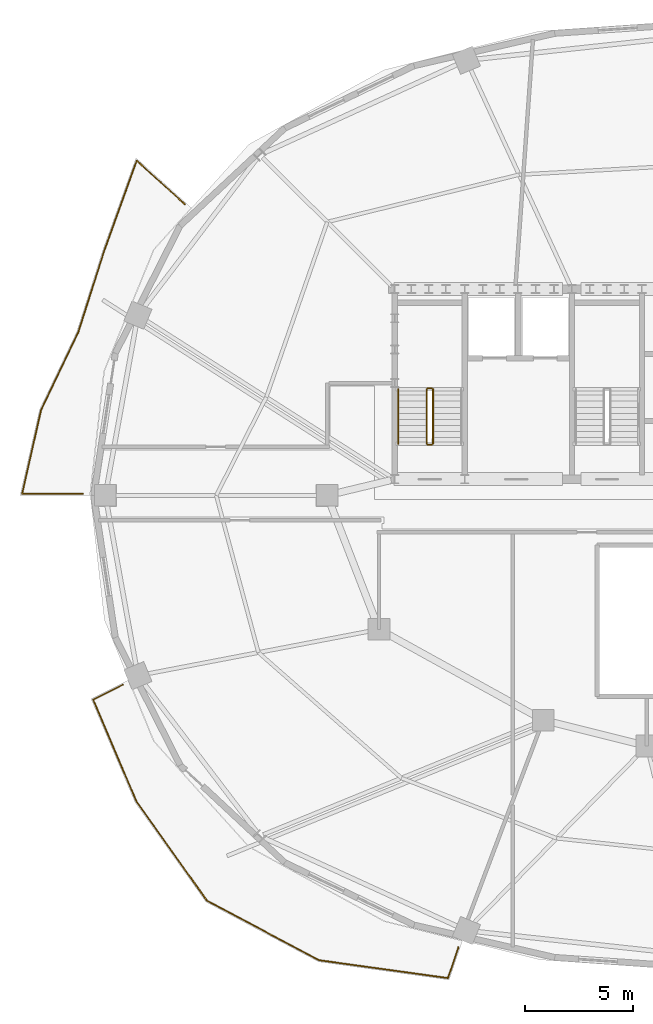
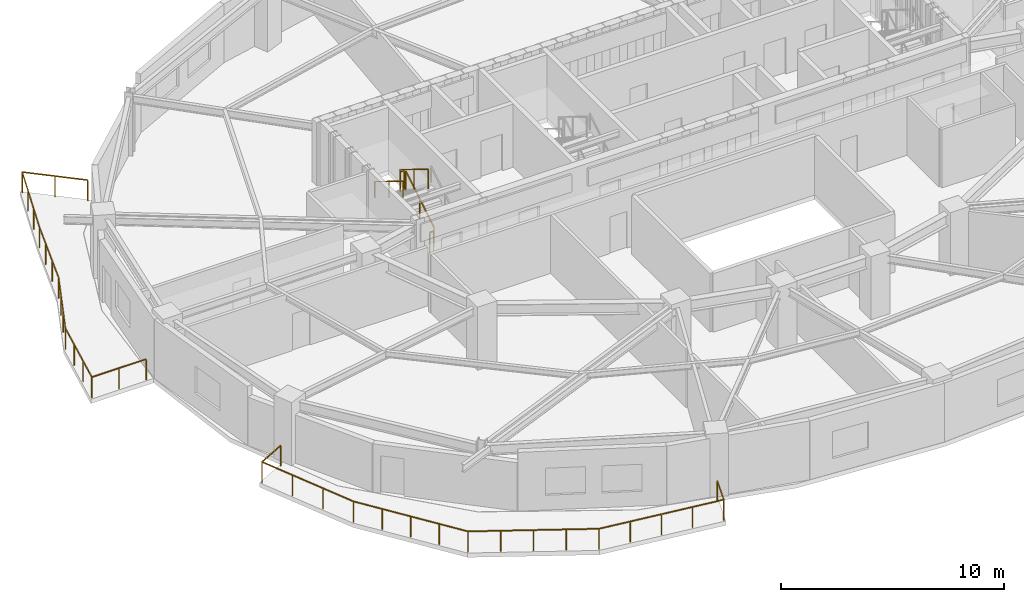
# One storey, part 7 of 11: 7 railings.
"""IFC4 building model written with IfcOpenShell, lengths in metres."""

from ifc_helpers import new_model, si_unit, direction, frame, origin, origin_2d, place, context, subcontext, project, spatial, rectangle, extrude, material, type_object, element, save


model = new_model("IFC4")

# Units and contexts
model_context = context("Model", 3, precision=1e-05, world=origin(), true_north=direction((0.0, 1.0)))
body_context = subcontext(model_context, "Body", "Model", "MODEL_VIEW")
ifc_project = project(units=[si_unit("LENGTHUNIT", "METRE"), si_unit("AREAUNIT", "SQUARE_METRE"), si_unit("VOLUMEUNIT", "CUBIC_METRE"), si_unit("PLANEANGLEUNIT", "RADIAN"), si_unit("MASSUNIT", "GRAM", prefix="KILO")], contexts=[model_context])

# Site, building, storey
site_placement = place(None, origin())
site = spatial("IfcSite", under=ifc_project, at=site_placement, CompositionType="ELEMENT")
building_placement = place(site_placement, origin())
building = spatial("IfcBuilding", under=site, at=building_placement, Name="Haldorwick Loom Tower", CompositionType="ELEMENT")
storey_placement = place(building_placement, frame((0.0, 0.0, 227.10009765625)))
storey = spatial("IfcBuildingStorey", under=building, at=storey_placement, Name="L61", CompositionType="ELEMENT", Elevation=227.10009765625)

# Railings
ifc_material_1 = material(Name="Galvanized Steel CSA G40.21 350W", Category="steel")
railing_type_1 = type_object("IfcRailingType", Name="ARC-RLG-BAL115", PredefinedType="BALUSTRADE", material=ifc_material_1)
railing_1_placement = place(storey_placement, frame((24.877685546875, 5.081298828125, 0.0)))
element("IfcRailing", 1, at=railing_1_placement, inside=storey, type_object=railing_type_1, Name="L61 Outdoor Terrace Guardrail SLB-L61-BAL_SW-1", PredefinedType="BALUSTRADE", context=body_context, shape_type="SweptSolid", body=[
    extrude(rectangle(XDim=0.048095703125, YDim=0.048095703125, at=origin_2d()), frame((0.0, 0.0, 1.1259765625), z_axis=(-0.322554876503, -0.946550765487, 0.0), x_axis=(0.946550765487, -0.322554876503, 0.0)), (0.0, 0.0, 1.0), 1.503173828125),
    extrude(rectangle(XDim=0.048095703125, YDim=0.048095703125, at=origin_2d()), frame((-0.48486328125, -1.4228515625, 1.1259765625), z_axis=(-0.990515716608, 0.137399472896, 0.0), x_axis=(-0.137399472896, -0.990515716608, 0.0)), (0.0, 0.0, 1.0), 6.027099609375),
    extrude(rectangle(XDim=0.048095703125, YDim=0.048095703125, at=origin_2d()), frame((-6.454833984375, -0.5947265625, 1.1259765625), z_axis=(-0.883034911235, 0.46930730395, 0.0), x_axis=(-0.46930730395, -0.883034911235, 0.0)), (0.0, 0.0, 1.0), 5.86865234375),
    extrude(rectangle(XDim=0.048095703125, YDim=0.048095703125, at=origin_2d()), frame((-11.636962890625, 2.159423828125, 1.1259765625), z_axis=(-0.580031308126, 0.814594182151, 0.0), x_axis=(-0.814594182151, -0.580031308126, 0.0)), (0.0, 0.0, 1.0), 5.62890625),
    extrude(rectangle(XDim=0.048095703125, YDim=0.048095703125, at=origin_2d()), frame((-14.90185546875, 6.74462890625, 1.1259765625), z_axis=(-0.391348382521, 0.92024260035, 0.0), x_axis=(-0.92024260035, -0.391348382521, 0.0)), (0.0, 0.0, 1.0), 5.126220703125),
    extrude(rectangle(XDim=0.048095703125, YDim=0.048095703125, at=origin_2d()), frame((-16.907958984375, 11.4619140625, 1.1259765625), z_axis=(0.892027220711, 0.451981678291, 0.0), x_axis=(-0.451981678291, 0.892027220711, 0.0)), (0.0, 0.0, 1.0), 1.533935546875),
    extrude(rectangle(XDim=0.0419921875, YDim=0.0419921875, at=origin_2d()), origin(), (0.0, 0.0, 1.0), 1.101806640625),
    extrude(rectangle(XDim=0.0419921875, YDim=0.0419921875, at=origin_2d()), frame((-0.48486328125, -1.4228515625, 0.0)), (0.0, 0.0, 1.0), 1.101806640625),
    extrude(rectangle(XDim=0.0419921875, YDim=0.0419921875, at=origin_2d()), frame((-1.977294921875, -1.2158203125, 0.0)), (0.0, 0.0, 1.0), 1.101806640625),
    extrude(rectangle(XDim=0.0419921875, YDim=0.0419921875, at=origin_2d()), frame((-3.4697265625, -1.0087890625, 0.0)), (0.0, 0.0, 1.0), 1.101806640625),
    extrude(rectangle(XDim=0.0419921875, YDim=0.0419921875, at=origin_2d()), frame((-4.96240234375, -0.8017578125, 0.0)), (0.0, 0.0, 1.0), 1.101806640625),
    extrude(rectangle(XDim=0.0419921875, YDim=0.0419921875, at=origin_2d()), frame((-6.454833984375, -0.5947265625, 0.0)), (0.0, 0.0, 1.0), 1.101806640625),
    extrude(rectangle(XDim=0.0419921875, YDim=0.0419921875, at=origin_2d()), frame((-7.75048828125, 0.09375, 0.0)), (0.0, 0.0, 1.0), 1.101806640625),
    extrude(rectangle(XDim=0.0419921875, YDim=0.0419921875, at=origin_2d()), frame((-9.0458984375, 0.7822265625, 0.0)), (0.0, 0.0, 1.0), 1.101806640625),
    extrude(rectangle(XDim=0.0419921875, YDim=0.0419921875, at=origin_2d()), frame((-10.34130859375, 1.470947265625, 0.0)), (0.0, 0.0, 1.0), 1.101806640625),
    extrude(rectangle(XDim=0.0419921875, YDim=0.0419921875, at=origin_2d()), frame((-11.636962890625, 2.159423828125, 0.0)), (0.0, 0.0, 1.0), 1.101806640625),
    extrude(rectangle(XDim=0.0419921875, YDim=0.0419921875, at=origin_2d()), frame((-12.453125, 3.3056640625, 0.0)), (0.0, 0.0, 1.0), 1.101806640625),
    extrude(rectangle(XDim=0.0419921875, YDim=0.0419921875, at=origin_2d()), frame((-13.26953125, 4.4521484375, 0.0)), (0.0, 0.0, 1.0), 1.101806640625),
    extrude(rectangle(XDim=0.0419921875, YDim=0.0419921875, at=origin_2d()), frame((-14.085693359375, 5.598388671875, 0.0)), (0.0, 0.0, 1.0), 1.101806640625),
    extrude(rectangle(XDim=0.0419921875, YDim=0.0419921875, at=origin_2d()), frame((-14.90185546875, 6.74462890625, 0.0)), (0.0, 0.0, 1.0), 1.101806640625),
    extrude(rectangle(XDim=0.0419921875, YDim=0.0419921875, at=origin_2d()), frame((-15.570556640625, 8.317138671875, 0.0)), (0.0, 0.0, 1.0), 1.101806640625),
    extrude(rectangle(XDim=0.0419921875, YDim=0.0419921875, at=origin_2d()), frame((-16.2392578125, 9.889404296875, 0.0)), (0.0, 0.0, 1.0), 1.101806640625),
    extrude(rectangle(XDim=0.0419921875, YDim=0.0419921875, at=origin_2d()), frame((-16.907958984375, 11.4619140625, 0.0)), (0.0, 0.0, 1.0), 1.101806640625),
    extrude(rectangle(XDim=0.0419921875, YDim=0.0419921875, at=origin_2d()), frame((-15.53955078125, 12.1552734375, 0.0)), (0.0, 0.0, 1.0), 1.101806640625),
])
railing_2_placement = place(storey_placement, frame((7.490478515625, 26.080078125, 0.0)))
element("IfcRailing", 2, at=railing_2_placement, inside=storey, type_object=railing_type_1, Name="L61 Outdoor Terrace Guardrail SLB-L61-BAL_WNW-1", PredefinedType="BALUSTRADE", context=body_context, shape_type="SweptSolid", body=[
    extrude(rectangle(XDim=0.048095703125, YDim=0.048095703125, at=origin_2d()), frame((0.0, 0.0, 1.1259765625), z_axis=(-1.0, 0.0, 0.0), x_axis=(0.0, -1.0, 0.0)), (0.0, 0.0, 1.0), 2.806884765625),
    extrude(rectangle(XDim=0.048095703125, YDim=0.048095703125, at=origin_2d()), frame((-2.806884765625, 0.0, 1.1259765625), z_axis=(0.220528818601, 0.975380459188, 0.0), x_axis=(-0.975380459188, 0.220528818601, 0.0)), (0.0, 0.0, 1.0), 3.970947265625),
    extrude(rectangle(XDim=0.048095703125, YDim=0.048095703125, at=origin_2d()), frame((-1.93115234375, 3.873291015625, 1.1259765625), z_axis=(0.431873232656, 0.901934316298, 0.0), x_axis=(-0.901934316298, 0.431873232656, 0.0)), (0.0, 0.0, 1.0), 3.97021484375),
    extrude(rectangle(XDim=0.048095703125, YDim=0.048095703125, at=origin_2d()), frame((-0.216552734375, 7.4541015625, 1.1259765625), z_axis=(0.363542485653, 0.931577619485, 0.0), x_axis=(-0.931577619485, 0.363542485653, 0.0)), (0.0, 0.0, 1.0), 0.0107421875),
    extrude(rectangle(XDim=0.048095703125, YDim=0.048095703125, at=origin_2d()), frame((-0.212646484375, 7.464111328125, 1.1259765625), z_axis=(0.304009811711, 0.952668900712, 0.0), x_axis=(-0.952668900712, 0.304009811711, 0.0)), (0.0, 0.0, 1.0), 4.037109375),
    extrude(rectangle(XDim=0.048095703125, YDim=0.048095703125, at=origin_2d()), frame((1.0146484375, 11.31005859375, 1.1259765625), z_axis=(0.339440877495, 0.940627392056, 0.0), x_axis=(-0.940627392056, 0.339440877495, 0.0)), (0.0, 0.0, 1.0), 4.361572265625),
    extrude(rectangle(XDim=0.048095703125, YDim=0.048095703125, at=origin_2d()), frame((2.4951171875, 15.41259765625, 1.1259765625), z_axis=(0.74173043734, -0.670698112658, 0.0), x_axis=(0.670698112658, 0.74173043734, 0.0)), (0.0, 0.0, 1.0), 3.00048828125),
    extrude(rectangle(XDim=0.0419921875, YDim=0.0419921875, at=origin_2d()), origin(), (0.0, 0.0, 1.0), 1.101806640625),
    extrude(rectangle(XDim=0.0419921875, YDim=0.0419921875, at=origin_2d()), frame((-1.4033203125, 0.0, 0.0)), (0.0, 0.0, 1.0), 1.101806640625),
    extrude(rectangle(XDim=0.0419921875, YDim=0.0419921875, at=origin_2d()), frame((-2.806884765625, 0.0, 0.0)), (0.0, 0.0, 1.0), 1.101806640625),
    extrude(rectangle(XDim=0.0419921875, YDim=0.0419921875, at=origin_2d()), frame((-2.514892578125, 1.291015625, 0.0)), (0.0, 0.0, 1.0), 1.101806640625),
    extrude(rectangle(XDim=0.0419921875, YDim=0.0419921875, at=origin_2d()), frame((-2.22314453125, 2.582275390625, 0.0)), (0.0, 0.0, 1.0), 1.101806640625),
    extrude(rectangle(XDim=0.0419921875, YDim=0.0419921875, at=origin_2d()), frame((-1.93115234375, 3.873291015625, 0.0)), (0.0, 0.0, 1.0), 1.101806640625),
    extrude(rectangle(XDim=0.0419921875, YDim=0.0419921875, at=origin_2d()), frame((-1.359619140625, 5.06689453125, 0.0)), (0.0, 0.0, 1.0), 1.101806640625),
    extrude(rectangle(XDim=0.0419921875, YDim=0.0419921875, at=origin_2d()), frame((-0.7880859375, 6.260498046875, 0.0)), (0.0, 0.0, 1.0), 1.101806640625),
    extrude(rectangle(XDim=0.0419921875, YDim=0.0419921875, at=origin_2d()), frame((-0.216552734375, 7.4541015625, 0.0)), (0.0, 0.0, 1.0), 1.101806640625),
    extrude(rectangle(XDim=0.0419921875, YDim=0.0419921875, at=origin_2d()), frame((0.196533203125, 8.74609375, 0.0)), (0.0, 0.0, 1.0), 1.101806640625),
    extrude(rectangle(XDim=0.0419921875, YDim=0.0419921875, at=origin_2d()), frame((0.60546875, 10.028076171875, 0.0)), (0.0, 0.0, 1.0), 1.101806640625),
    extrude(rectangle(XDim=0.0419921875, YDim=0.0419921875, at=origin_2d()), frame((1.0146484375, 11.31005859375, 0.0)), (0.0, 0.0, 1.0), 1.101806640625),
    extrude(rectangle(XDim=0.0419921875, YDim=0.0419921875, at=origin_2d()), frame((1.508056640625, 12.677490234375, 0.0)), (0.0, 0.0, 1.0), 1.101806640625),
    extrude(rectangle(XDim=0.0419921875, YDim=0.0419921875, at=origin_2d()), frame((2.001708984375, 14.045166015625, 0.0)), (0.0, 0.0, 1.0), 1.101806640625),
    extrude(rectangle(XDim=0.0419921875, YDim=0.0419921875, at=origin_2d()), frame((2.4951171875, 15.41259765625, 0.0)), (0.0, 0.0, 1.0), 1.101806640625),
    extrude(rectangle(XDim=0.0419921875, YDim=0.0419921875, at=origin_2d()), frame((3.60791015625, 14.40625, 0.0)), (0.0, 0.0, 1.0), 1.101806640625),
    extrude(rectangle(XDim=0.0419921875, YDim=0.0419921875, at=origin_2d()), frame((4.720703125, 13.400146484375, 0.0)), (0.0, 0.0, 1.0), 1.101806640625),
])
ifc_material_2 = material(Name="Steel CSA G40.21 350W", Category="steel")
railing_type_2 = type_object("IfcRailingType", Name="ARC-RLG-GUARD112", PredefinedType="GUARDRAIL", material=ifc_material_2)
railing_3_placement = place(storey_placement, frame((23.699951171875, 28.39990234375, 0.17236328125)))
element("IfcRailing", 3, at=railing_3_placement, inside=storey, type_object=railing_type_2, Name="L61 ST-01 stair guard 1", PredefinedType="GUARDRAIL", context=body_context, shape_type="SweptSolid", body=[
    extrude(rectangle(XDim=0.048095703125, YDim=0.048095703125, at=origin_2d()), frame((0.0, 0.0, 1.076171875), z_axis=(0.0, 0.851400495292, 0.524516154772), x_axis=(-1.0, 0.0, 0.0)), (0.0, 0.0, 1.0), 2.9599609375),
    extrude(rectangle(XDim=0.0419921875, YDim=0.0419921875, at=origin_2d()), origin(), (0.0, 0.0, 1.0), 1.052001953125),
    extrude(rectangle(XDim=0.0419921875, YDim=0.0419921875, at=origin_2d()), frame((0.0, 1.260009765625, 0.7763671875)), (0.0, 0.0, 1.0), 1.052001953125),
    extrude(rectangle(XDim=0.0419921875, YDim=0.0419921875, at=origin_2d()), frame((0.0, 2.52001953125, 1.552490234375)), (0.0, 0.0, 1.0), 1.052001953125),
])
railing_4_placement = place(storey_placement, frame((23.64990234375, 30.969970703125, 1.724853515625)))
element("IfcRailing", 4, at=railing_4_placement, inside=storey, type_object=railing_type_2, Name="L61 ST-01 stair guard 2", PredefinedType="GUARDRAIL", context=body_context, shape_type="SweptSolid", body=[
    extrude(rectangle(XDim=0.048095703125, YDim=0.048095703125, at=origin_2d()), frame((0.0, 0.0, 1.076171875), z_axis=(-1.0, 0.0, 0.0), x_axis=(0.0, -1.0, 0.0)), (0.0, 0.0, 1.0), 0.199951171875),
    extrude(rectangle(XDim=0.0419921875, YDim=0.0419921875, at=origin_2d()), origin(), (0.0, 0.0, 1.0), 1.052001953125),
    extrude(rectangle(XDim=0.0419921875, YDim=0.0419921875, at=origin_2d()), frame((-0.199951171875, 0.0, 0.0)), (0.0, 0.0, 1.0), 1.052001953125),
])
railing_5_placement = place(storey_placement, frame((23.39990234375, 30.919921875, 1.8974609375)))
element("IfcRailing", 5, at=railing_5_placement, inside=storey, type_object=railing_type_2, Name="L61 ST-01 stair guard 3", PredefinedType="GUARDRAIL", context=body_context, shape_type="SweptSolid", body=[
    extrude(rectangle(XDim=0.048095703125, YDim=0.048095703125, at=origin_2d()), frame((0.0, 0.0, 1.076171875), z_axis=(0.0, -0.851400495292, 0.524516154772), x_axis=(1.0, 0.0, 0.0)), (0.0, 0.0, 1.0), 2.9599609375),
    extrude(rectangle(XDim=0.0419921875, YDim=0.0419921875, at=origin_2d()), origin(), (0.0, 0.0, 1.0), 1.052001953125),
    extrude(rectangle(XDim=0.0419921875, YDim=0.0419921875, at=origin_2d()), frame((0.0, -1.260009765625, 0.7763671875)), (0.0, 0.0, 1.0), 1.052001953125),
    extrude(rectangle(XDim=0.0419921875, YDim=0.0419921875, at=origin_2d()), frame((0.0, -2.52001953125, 1.552490234375)), (0.0, 0.0, 1.0), 1.052001953125),
])
railing_6_placement = place(storey_placement, frame((23.64990234375, 28.35009765625, 0.0)))
element("IfcRailing", 6, at=railing_6_placement, inside=storey, type_object=railing_type_2, Name="L61 ST-01 stair guard 4", PredefinedType="GUARDRAIL", context=body_context, shape_type="SweptSolid", body=[
    extrude(rectangle(XDim=0.048095703125, YDim=0.048095703125, at=origin_2d()), frame((0.0, 0.0, 1.076171875), z_axis=(-1.0, 0.0, 0.0), x_axis=(0.0, -1.0, 0.0)), (0.0, 0.0, 1.0), 0.199951171875),
    extrude(rectangle(XDim=0.0419921875, YDim=0.0419921875, at=origin_2d()), origin(), (0.0, 0.0, 1.0), 1.052001953125),
    extrude(rectangle(XDim=0.0419921875, YDim=0.0419921875, at=origin_2d()), frame((-0.199951171875, 0.0, 0.0)), (0.0, 0.0, 1.0), 1.052001953125),
])
railing_type_3 = type_object("IfcRailingType", Name="ARC-RLG-HAND092", PredefinedType="HANDRAIL", material=ifc_material_2)
railing_7_placement = place(storey_placement, frame((22.10009765625, 30.919921875, 1.8974609375)))
element("IfcRailing", 7, at=railing_7_placement, inside=storey, type_object=railing_type_3, Name="L61 ST-01 stair handrail 2", PredefinedType="HANDRAIL", context=body_context, shape_type="SweptSolid", body=[
    extrude(rectangle(XDim=0.048095703125, YDim=0.048095703125, at=origin_2d()), frame((0.0, 0.0, 0.8759765625), z_axis=(0.0, -0.851400495292, 0.524516154772), x_axis=(1.0, 0.0, 0.0)), (0.0, 0.0, 1.0), 2.9599609375),
    extrude(rectangle(XDim=0.0419921875, YDim=0.0419921875, at=origin_2d()), origin(), (0.0, 0.0, 1.0), 0.851806640625),
    extrude(rectangle(XDim=0.0419921875, YDim=0.0419921875, at=origin_2d()), frame((0.0, -1.260009765625, 0.7763671875)), (0.0, 0.0, 1.0), 0.851806640625),
    extrude(rectangle(XDim=0.0419921875, YDim=0.0419921875, at=origin_2d()), frame((0.0, -2.52001953125, 1.552490234375)), (0.0, 0.0, 1.0), 0.851806640625),
])

save(model, "model.ifc")
